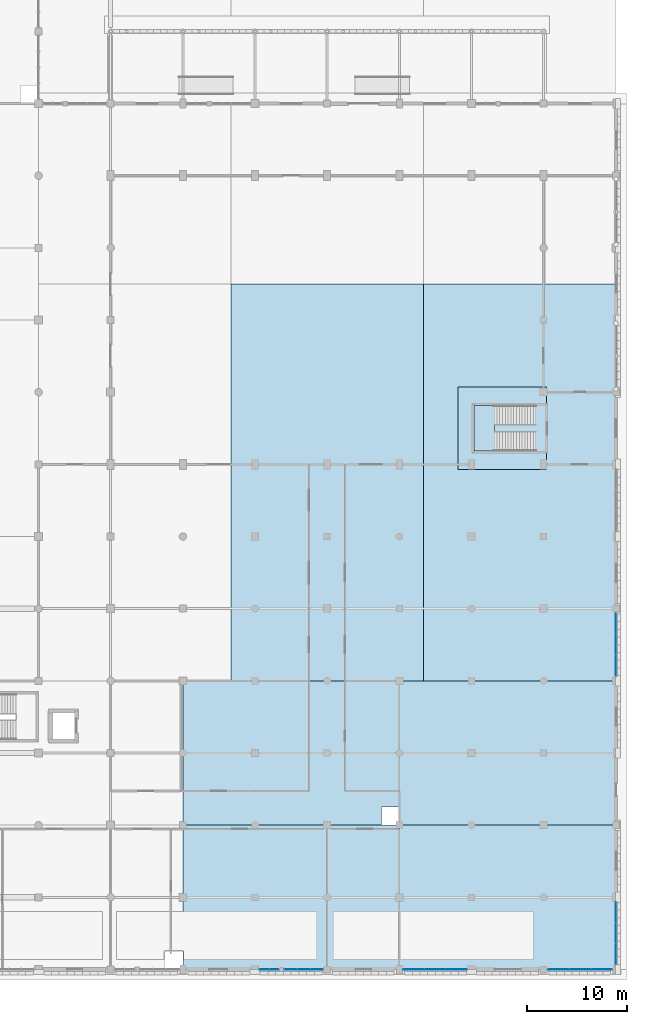
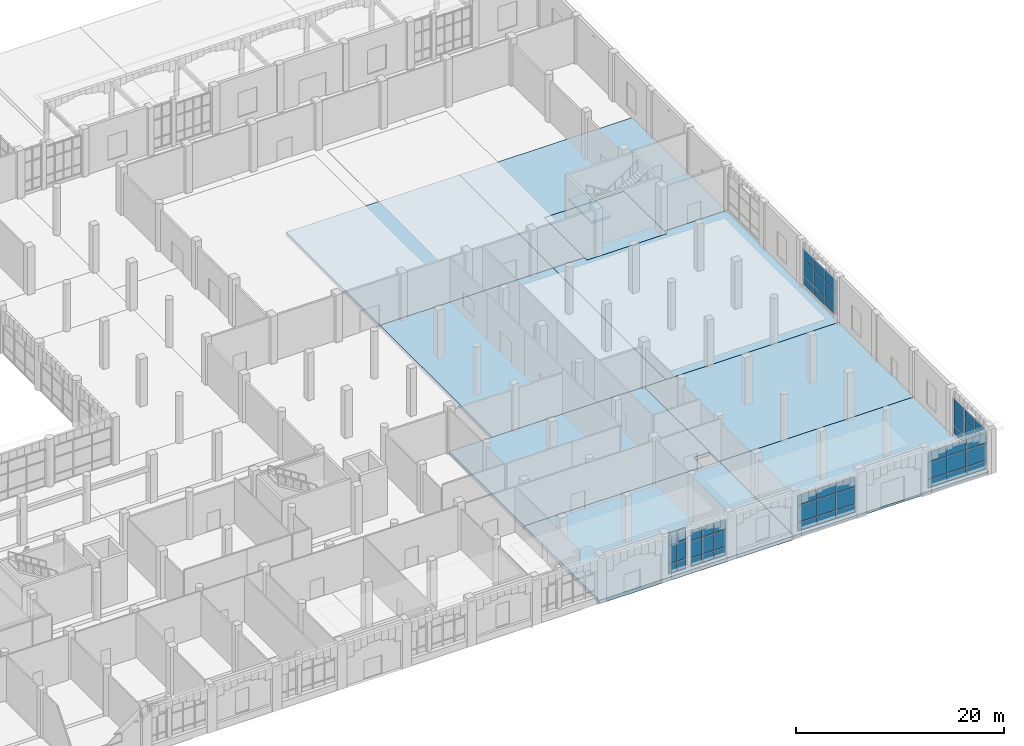
# One storey, part 45 of 85: 51 plates, 10 slabs, 7 elements without a shape of their own.
"""IFC4 building model written with IfcOpenShell, lengths in metres."""

import ifcopenshell
import ifcopenshell.guid

model = None  # the IFC model being written
_history = None  # IfcOwnerHistory: only IFC2X3 demands one
_inside = {}  # id of a spatial element -> (the spatial element, [elements in it])
_under = {}  # id of a project, library or spatial element -> (it, [spatial elements below it])
_declared = {}  # id of a project -> (the project, [libraries it declares])
_typed = {}  # id of a type object -> (the type object, [elements of that type])
_made_of = {}  # id of a material, layer set ... -> (it, [elements and type objects made of it])


def new_model(schema):
    """Start an empty IFC model of exactly this schema.

    Asked for "IFC4X3", IfcOpenShell would pick the latest addendum, in which some entities
    have other attributes; the version numbers below select the first issue.
    IFC2X3 requires an IfcOwnerHistory on every rooted entity: one is made here for all.
    """
    global model, _history
    if schema == "IFC4X3":
        model = ifcopenshell.file(schema_version=(4, 3, 0, 0))
    else:
        model = ifcopenshell.file(schema=schema)
    _inside.clear()
    _under.clear()
    _declared.clear()
    _typed.clear()
    _made_of.clear()
    _history = None
    if model.schema == "IFC2X3":
        org = make("IfcOrganization", Name="unknown")
        user = make(
            "IfcPersonAndOrganization",
            ThePerson=make("IfcPerson", FamilyName="unknown"),
            TheOrganization=org,
        )
        app = make(
            "IfcApplication",
            ApplicationDeveloper=org,
            Version="unknown",
            ApplicationFullName="unknown",
            ApplicationIdentifier="unknown",
        )
        _history = make(
            "IfcOwnerHistory",
            OwningUser=user,
            OwningApplication=app,
            ChangeAction="ADDED",
            CreationDate=0,
        )
    return model


def make(cls, **values):
    """One entity of the class cls with the attributes given. An attribute that is None is left unset."""
    return model.create_entity(
        cls, **{name: value for name, value in values.items() if value is not None}
    )


def rooted(cls, **values):
    """An entity with a GlobalId (a new one), such as an element, a storey or a relation."""
    return make(cls, GlobalId=ifcopenshell.guid.new(), OwnerHistory=_history, **values)


def si_unit(unit_type, name, prefix=None):
    """IfcSIUnit, for example si_unit("LENGTHUNIT", "METRE", prefix="MILLI")."""
    return make("IfcSIUnit", UnitType=unit_type, Prefix=prefix, Name=name)


def assignment(units):
    """IfcUnitAssignment: the units of a project."""
    return None if units is None else make("IfcUnitAssignment", Units=units)


def point(xyz):
    """IfcCartesianPoint."""
    return None if xyz is None else make("IfcCartesianPoint", Coordinates=xyz)


def direction(xyz):
    """IfcDirection."""
    return None if xyz is None else make("IfcDirection", DirectionRatios=xyz)


def frame(location, z_axis=None, x_axis=None):
    """IfcAxis2Placement3D, a coordinate frame: its origin and axes. An axis left out is left unset."""
    return make(
        "IfcAxis2Placement3D",
        Location=point(location),
        Axis=direction(z_axis),
        RefDirection=direction(x_axis),
    )


def frame_2d(location, x_axis=None):
    """IfcAxis2Placement2D, a coordinate frame in the plane: its origin and x axis."""
    return make(
        "IfcAxis2Placement2D", Location=point(location), RefDirection=direction(x_axis)
    )


def origin():
    """The frame at (0, 0, 0) with its axes left unset."""
    return frame((0.0, 0.0, 0.0))


def origin_2d():
    """The frame at (0, 0) in the plane with its x axis left unset."""
    return frame_2d((0.0, 0.0))


def place(relative_to, where):
    """IfcLocalPlacement: puts the frame where relative to a parent placement (None: the world)."""
    return make(
        "IfcLocalPlacement", PlacementRelTo=relative_to, RelativePlacement=where
    )


def context(
    kind, dimensions, precision=None, world=None, true_north=None, identifier=None
):
    """IfcGeometricRepresentationContext, for example the 3D "Model" context."""
    return make(
        "IfcGeometricRepresentationContext",
        ContextIdentifier=identifier,
        ContextType=kind,
        CoordinateSpaceDimension=dimensions,
        Precision=precision,
        WorldCoordinateSystem=world,
        TrueNorth=true_north,
    )


def subcontext(parent, identifier, kind, view, scale=None):
    """IfcGeometricRepresentationSubContext, for example "Body" below "Model"."""
    return make(
        "IfcGeometricRepresentationSubContext",
        ContextIdentifier=identifier,
        ContextType=kind,
        ParentContext=parent,
        TargetScale=scale,
        TargetView=view,
    )


def project(units=None, contexts=None):
    """IfcProject with its units and contexts."""
    return rooted(
        "IfcProject",
        Name="project",
        RepresentationContexts=contexts,
        UnitsInContext=assignment(units),
    )


def spatial(cls, under=None, at=None, **own):
    """A site, building, storey or space (cls), placed at a placement, below another one or the project."""
    s = rooted(cls, ObjectPlacement=at, **own)
    if under is not None:
        _under.setdefault(under.id(), (under, []))[1].append(s)
    return s


def polyline(points):
    """IfcPolyline through the points."""
    return make("IfcPolyline", Points=[point(p) for p in points])


def profile(cls, at=None, kind="AREA", **sizes):
    """A parametric profile (cls). Its sizes go by their IFC names, for example OverallWidth=200.0."""
    return make(cls, ProfileType=kind, Position=at, **sizes)


def rectangle(**sizes):
    """IfcRectangleProfileDef."""
    return profile("IfcRectangleProfileDef", **sizes)


def outline(outer, holes=None, kind="AREA"):
    """IfcArbitraryClosedProfileDef: a profile drawn as a closed curve; with holes, ...WithVoids."""
    if holes is None:
        return make("IfcArbitraryClosedProfileDef", ProfileType=kind, OuterCurve=outer)
    return make(
        "IfcArbitraryProfileDefWithVoids",
        ProfileType=kind,
        OuterCurve=outer,
        InnerCurves=holes,
    )


def extrude(swept, where, along, depth):
    """IfcExtrudedAreaSolid: the profile swept, set in the frame where, extruded along a direction by depth."""
    return make(
        "IfcExtrudedAreaSolid",
        SweptArea=swept,
        Position=where,
        ExtrudedDirection=direction(along),
        Depth=depth,
    )


def shape(context_of_items, identifier, shape_type, items):
    """IfcShapeRepresentation: the items that make up one representation, for example the "Body"."""
    return make(
        "IfcShapeRepresentation",
        ContextOfItems=context_of_items,
        RepresentationIdentifier=identifier,
        RepresentationType=shape_type,
        Items=items,
    )


def material(Name=None, Category=None):
    """IfcMaterial."""
    return make("IfcMaterial", Name=Name, Category=Category)


def layer(
    of_material, thickness, ventilated=None, Name=None, Category=None, Priority=None
):
    """IfcMaterialLayer: one layer of a wall or slab, of a material (None: an air gap)."""
    return make(
        "IfcMaterialLayer",
        Material=of_material,
        LayerThickness=thickness,
        IsVentilated=ventilated,
        Name=Name,
        Category=Category,
        Priority=Priority,
    )


def layer_set(layers, Name=None):
    """IfcMaterialLayerSet."""
    return make("IfcMaterialLayerSet", MaterialLayers=layers, LayerSetName=Name)


def made_of(thing, what):
    """Note that an element or type object is made of a material, layer set ...; save() writes the relation."""
    if what is not None:
        _made_of.setdefault(what.id(), (what, []))[1].append(thing)
    return thing


def type_object(cls, material=None, **own):
    """A type object (cls), such as IfcWallType, which elements share."""
    return made_of(rooted(cls, **own), material)


def element(
    cls,
    number,
    at=None,
    inside=None,
    cuts=None,
    type_object=None,
    material=None,
    context=None,
    identifier="Body",
    shape_type=None,
    held_by="IfcProductDefinitionShape",
    body=None,
    shapes=None,
    **own,
):
    """One element of the class cls, such as IfcWall. Its Tag is "e" and its number.

    at: its placement. inside: the storey or other place that contains it. cuts: it is an
    opening in that element (IfcRelVoidsElement). A single representation is given by context,
    identifier, shape_type and body (its items); several are given by shapes. held_by: the class
    of the entity that holds the representations. save() writes the other relations.
    """
    e = rooted(cls, Tag="e%d" % number, ObjectPlacement=at, **own)
    if body is not None:
        shapes = [shape(context, identifier, shape_type, body)]
    if shapes is not None:
        e.Representation = make(held_by, Representations=shapes)
    if inside is not None:
        _inside.setdefault(inside.id(), (inside, []))[1].append(e)
    if cuts is not None:
        rooted(
            "IfcRelVoidsElement", RelatingBuildingElement=cuts, RelatedOpeningElement=e
        )
    if type_object is not None:
        _typed.setdefault(type_object.id(), (type_object, []))[1].append(e)
    return made_of(e, material)


def aggregate(whole, parts):
    """IfcRelAggregates: a whole, such as a stair, and the parts it consists of."""
    return rooted("IfcRelAggregates", RelatingObject=whole, RelatedObjects=parts)


def save(model, path):
    """Write the relations noted so far, then the file.

    IfcRelAggregates (storeys below a building ...), IfcRelContainedInSpatialStructure (elements
    in a storey), IfcRelDefinesByType, IfcRelAssociatesMaterial and IfcRelDeclares: one each for
    every whole, place, type object, material and project.
    """
    for whole, parts in _under.values():
        aggregate(whole, parts)
    for where, things in _inside.values():
        rooted(
            "IfcRelContainedInSpatialStructure",
            RelatedElements=things,
            RelatingStructure=where,
        )
    for kind, things in _typed.values():
        rooted("IfcRelDefinesByType", RelatedObjects=things, RelatingType=kind)
    for what, things in _made_of.values():
        rooted("IfcRelAssociatesMaterial", RelatedObjects=things, RelatingMaterial=what)
    for by, libraries in _declared.values():
        rooted("IfcRelDeclares", RelatingContext=by, RelatedDefinitions=libraries)
    model.write(path)


model = new_model("IFC4")

# Units and contexts
model_context = context("Model", 3, precision=1e-05, world=origin(), true_north=direction((0.0, 1.0)))
body_context = subcontext(model_context, "Body", "Model", "MODEL_VIEW")
ifc_project = project(units=[si_unit("LENGTHUNIT", "METRE"), si_unit("AREAUNIT", "SQUARE_METRE"), si_unit("VOLUMEUNIT", "CUBIC_METRE"), si_unit("PLANEANGLEUNIT", "RADIAN"), si_unit("MASSUNIT", "GRAM", prefix="KILO")], contexts=[model_context])

# Site, building, storey
site_placement = place(None, origin())
site = spatial("IfcSite", under=ifc_project, at=site_placement, CompositionType="ELEMENT")
building_placement = place(site_placement, origin())
building = spatial("IfcBuilding", under=site, at=building_placement, Name="Sardonyx Promenade Sports Hall", CompositionType="ELEMENT")
storey_placement = place(building_placement, origin())
storey = spatial("IfcBuildingStorey", under=building, at=storey_placement, Name="L00", CompositionType="ELEMENT", Elevation=0.0)

# Curtain wall, plates
ifc_material_1 = material(Name="Aluminium 6063-T6", Category="aluminium")
curtain_wall_type_1 = type_object("IfcCurtainWallType", Name="CW_EastWing_L00", PredefinedType="USERDEFINED", material=ifc_material_1)
curtain_wall_1_placement = place(storey_placement, origin())
curtain_wall_1 = element("IfcCurtainWall", 1, at=curtain_wall_1_placement, inside=storey, type_object=curtain_wall_type_1, Name="Curtain wall CW07 cw:L00:050", ObjectType="CURTAIN WALL", PredefinedType="USERDEFINED")
ifc_material_2 = material(Name="Double-glazed solar low-E IGU 28 mm", Category="glass")
ifc_layer_1 = layer(ifc_material_2, 0.028076171875)
ifc_layer_set_1 = layer_set([ifc_layer_1], Name="CW_Pan_Glz_28")
plate_type_1 = type_object("IfcPlateType", Name="CW_Pan_Glz_28", PredefinedType="CURTAIN_PANEL", material=ifc_layer_set_1)
plate_1_placement = place(storey_placement, frame((165.60009765625, 34.5400390625, 0.4150390625), z_axis=(0.0, 0.0, 1.0), x_axis=(0.0, -1.0, 0.0)))
plate_1 = element("IfcPlate", 2, at=plate_1_placement, type_object=plate_type_1, Name="Curtain panel CP01 cw:L00:050 #1", PredefinedType="CURTAIN_PANEL", context=body_context, shape_type="SweptSolid", body=[
    extrude(rectangle(XDim=2.050048828125, YDim=0.028076171875, at=origin_2d()), origin(), (0.0, 0.0, 1.0), 0.902587890625),
])
plate_2_placement = place(storey_placement, frame((165.60009765625, 34.5400390625, 1.38232421875), z_axis=(0.0, 0.0, 1.0), x_axis=(0.0, -1.0, 0.0)))
plate_2 = element("IfcPlate", 3, at=plate_2_placement, type_object=plate_type_1, Name="Curtain panel CP01 cw:L00:050 #2", PredefinedType="CURTAIN_PANEL", context=body_context, shape_type="SweptSolid", body=[
    extrude(rectangle(XDim=2.050048828125, YDim=0.028076171875, at=origin_2d()), origin(), (0.0, 0.0, 1.0), 1.885009765625),
])
plate_3_placement = place(storey_placement, frame((165.60009765625, 34.5400390625, 3.33251953125), z_axis=(0.0, 0.0, 1.0), x_axis=(0.0, -1.0, 0.0)))
plate_3 = element("IfcPlate", 4, at=plate_3_placement, type_object=plate_type_1, Name="Curtain panel CP01 cw:L00:050 #3", PredefinedType="CURTAIN_PANEL", context=body_context, shape_type="SweptSolid", body=[
    extrude(rectangle(XDim=2.050048828125, YDim=0.028076171875, at=origin_2d()), origin(), (0.0, 0.0, 1.0), 1.202392578125),
])
plate_4_placement = place(storey_placement, frame((165.60009765625, 32.425048828125, 0.4150390625), z_axis=(0.0, 0.0, 1.0), x_axis=(0.0, -1.0, 0.0)))
plate_4 = element("IfcPlate", 5, at=plate_4_placement, type_object=plate_type_1, Name="Curtain panel CP01 cw:L00:050 #4", PredefinedType="CURTAIN_PANEL", context=body_context, shape_type="SweptSolid", body=[
    extrude(rectangle(XDim=2.050048828125, YDim=0.028076171875, at=origin_2d()), origin(), (0.0, 0.0, 1.0), 0.902587890625),
])
plate_5_placement = place(storey_placement, frame((165.60009765625, 32.425048828125, 1.38232421875), z_axis=(0.0, 0.0, 1.0), x_axis=(0.0, -1.0, 0.0)))
plate_5 = element("IfcPlate", 6, at=plate_5_placement, type_object=plate_type_1, Name="Curtain panel CP01 cw:L00:050 #5", PredefinedType="CURTAIN_PANEL", context=body_context, shape_type="SweptSolid", body=[
    extrude(rectangle(XDim=2.050048828125, YDim=0.028076171875, at=origin_2d()), origin(), (0.0, 0.0, 1.0), 1.885009765625),
])
plate_6_placement = place(storey_placement, frame((165.60009765625, 32.425048828125, 3.33251953125), z_axis=(0.0, 0.0, 1.0), x_axis=(0.0, -1.0, 0.0)))
plate_6 = element("IfcPlate", 7, at=plate_6_placement, type_object=plate_type_1, Name="Curtain panel CP01 cw:L00:050 #6", PredefinedType="CURTAIN_PANEL", context=body_context, shape_type="SweptSolid", body=[
    extrude(rectangle(XDim=2.050048828125, YDim=0.028076171875, at=origin_2d()), origin(), (0.0, 0.0, 1.0), 1.202392578125),
])
plate_7_placement = place(storey_placement, frame((165.60009765625, 30.31005859375, 0.4150390625), z_axis=(0.0, 0.0, 1.0), x_axis=(0.0, -1.0, 0.0)))
plate_7 = element("IfcPlate", 8, at=plate_7_placement, type_object=plate_type_1, Name="Curtain panel CP01 cw:L00:050 #7", PredefinedType="CURTAIN_PANEL", context=body_context, shape_type="SweptSolid", body=[
    extrude(rectangle(XDim=2.050048828125, YDim=0.028076171875, at=origin_2d()), origin(), (0.0, 0.0, 1.0), 0.902587890625),
])
plate_8_placement = place(storey_placement, frame((165.60009765625, 30.31005859375, 1.38232421875), z_axis=(0.0, 0.0, 1.0), x_axis=(0.0, -1.0, 0.0)))
plate_8 = element("IfcPlate", 9, at=plate_8_placement, type_object=plate_type_1, Name="Curtain panel CP01 cw:L00:050 #8", PredefinedType="CURTAIN_PANEL", context=body_context, shape_type="SweptSolid", body=[
    extrude(rectangle(XDim=2.050048828125, YDim=0.028076171875, at=origin_2d()), origin(), (0.0, 0.0, 1.0), 1.885009765625),
])
plate_9_placement = place(storey_placement, frame((165.60009765625, 30.31005859375, 3.33251953125), z_axis=(0.0, 0.0, 1.0), x_axis=(0.0, -1.0, 0.0)))
plate_9 = element("IfcPlate", 10, at=plate_9_placement, type_object=plate_type_1, Name="Curtain panel CP01 cw:L00:050 #9", PredefinedType="CURTAIN_PANEL", context=body_context, shape_type="SweptSolid", body=[
    extrude(rectangle(XDim=2.050048828125, YDim=0.028076171875, at=origin_2d()), origin(), (0.0, 0.0, 1.0), 1.202392578125),
])
aggregate(curtain_wall_1, [plate_1, plate_2, plate_3, plate_4, plate_5, plate_6, plate_7, plate_8, plate_9])

curtain_wall_2_placement = place(storey_placement, origin())
curtain_wall_2 = element("IfcCurtainWall", 11, at=curtain_wall_2_placement, inside=storey, type_object=curtain_wall_type_1, Name="Curtain wall CW07 cw:L00:051", ObjectType="CURTAIN WALL", PredefinedType="USERDEFINED")
plate_10_placement = place(storey_placement, frame((165.60009765625, 5.706787109375, 0.4150390625), z_axis=(0.0, 0.0, 1.0), x_axis=(0.0, -1.0, 0.0)))
plate_10 = element("IfcPlate", 12, at=plate_10_placement, type_object=plate_type_1, Name="Curtain panel CP01 cw:L00:051 #1", PredefinedType="CURTAIN_PANEL", context=body_context, shape_type="SweptSolid", body=[
    extrude(rectangle(XDim=2.0166015625, YDim=0.028076171875, at=origin_2d()), origin(), (0.0, 0.0, 1.0), 0.902587890625),
])
plate_11_placement = place(storey_placement, frame((165.60009765625, 5.706787109375, 1.38232421875), z_axis=(0.0, 0.0, 1.0), x_axis=(0.0, -1.0, 0.0)))
plate_11 = element("IfcPlate", 13, at=plate_11_placement, type_object=plate_type_1, Name="Curtain panel CP01 cw:L00:051 #2", PredefinedType="CURTAIN_PANEL", context=body_context, shape_type="SweptSolid", body=[
    extrude(rectangle(XDim=2.0166015625, YDim=0.028076171875, at=origin_2d()), origin(), (0.0, 0.0, 1.0), 1.885009765625),
])
plate_12_placement = place(storey_placement, frame((165.60009765625, 5.706787109375, 3.33251953125), z_axis=(0.0, 0.0, 1.0), x_axis=(0.0, -1.0, 0.0)))
plate_12 = element("IfcPlate", 14, at=plate_12_placement, type_object=plate_type_1, Name="Curtain panel CP01 cw:L00:051 #3", PredefinedType="CURTAIN_PANEL", context=body_context, shape_type="SweptSolid", body=[
    extrude(rectangle(XDim=2.0166015625, YDim=0.028076171875, at=origin_2d()), origin(), (0.0, 0.0, 1.0), 1.202392578125),
])
plate_13_placement = place(storey_placement, frame((165.60009765625, 3.625, 0.4150390625), z_axis=(0.0, 0.0, 1.0), x_axis=(0.0, -1.0, 0.0)))
plate_13 = element("IfcPlate", 15, at=plate_13_placement, type_object=plate_type_1, Name="Curtain panel CP01 cw:L00:051 #4", PredefinedType="CURTAIN_PANEL", context=body_context, shape_type="SweptSolid", body=[
    extrude(rectangle(XDim=2.0166015625, YDim=0.028076171875, at=origin_2d()), origin(), (0.0, 0.0, 1.0), 0.902587890625),
])
plate_14_placement = place(storey_placement, frame((165.60009765625, 3.625, 1.38232421875), z_axis=(0.0, 0.0, 1.0), x_axis=(0.0, -1.0, 0.0)))
plate_14 = element("IfcPlate", 16, at=plate_14_placement, type_object=plate_type_1, Name="Curtain panel CP01 cw:L00:051 #5", PredefinedType="CURTAIN_PANEL", context=body_context, shape_type="SweptSolid", body=[
    extrude(rectangle(XDim=2.0166015625, YDim=0.028076171875, at=origin_2d()), origin(), (0.0, 0.0, 1.0), 1.885009765625),
])
plate_15_placement = place(storey_placement, frame((165.60009765625, 3.625, 3.33251953125), z_axis=(0.0, 0.0, 1.0), x_axis=(0.0, -1.0, 0.0)))
plate_15 = element("IfcPlate", 17, at=plate_15_placement, type_object=plate_type_1, Name="Curtain panel CP01 cw:L00:051 #6", PredefinedType="CURTAIN_PANEL", context=body_context, shape_type="SweptSolid", body=[
    extrude(rectangle(XDim=2.0166015625, YDim=0.028076171875, at=origin_2d()), origin(), (0.0, 0.0, 1.0), 1.202392578125),
])
plate_16_placement = place(storey_placement, frame((165.60009765625, 1.543212890625, 0.4150390625), z_axis=(0.0, 0.0, 1.0), x_axis=(0.0, -1.0, 0.0)))
plate_16 = element("IfcPlate", 18, at=plate_16_placement, type_object=plate_type_1, Name="Curtain panel CP01 cw:L00:051 #7", PredefinedType="CURTAIN_PANEL", context=body_context, shape_type="SweptSolid", body=[
    extrude(rectangle(XDim=2.0166015625, YDim=0.028076171875, at=origin_2d()), origin(), (0.0, 0.0, 1.0), 0.902587890625),
])
plate_17_placement = place(storey_placement, frame((165.60009765625, 1.543212890625, 1.38232421875), z_axis=(0.0, 0.0, 1.0), x_axis=(0.0, -1.0, 0.0)))
plate_17 = element("IfcPlate", 19, at=plate_17_placement, type_object=plate_type_1, Name="Curtain panel CP01 cw:L00:051 #8", PredefinedType="CURTAIN_PANEL", context=body_context, shape_type="SweptSolid", body=[
    extrude(rectangle(XDim=2.0166015625, YDim=0.028076171875, at=origin_2d()), origin(), (0.0, 0.0, 1.0), 1.885009765625),
])
plate_18_placement = place(storey_placement, frame((165.60009765625, 1.543212890625, 3.33251953125), z_axis=(0.0, 0.0, 1.0), x_axis=(0.0, -1.0, 0.0)))
plate_18 = element("IfcPlate", 20, at=plate_18_placement, type_object=plate_type_1, Name="Curtain panel CP01 cw:L00:051 #9", PredefinedType="CURTAIN_PANEL", context=body_context, shape_type="SweptSolid", body=[
    extrude(rectangle(XDim=2.0166015625, YDim=0.028076171875, at=origin_2d()), origin(), (0.0, 0.0, 1.0), 1.202392578125),
])
aggregate(curtain_wall_2, [plate_10, plate_11, plate_12, plate_13, plate_14, plate_15, plate_16, plate_17, plate_18])

ifc_material_3 = material(Name="Aluminium 6063-T6", Category="aluminium")
curtain_wall_type_2 = type_object("IfcCurtainWallType", Name="CW_South_L00_640", PredefinedType="USERDEFINED", material=ifc_material_3)
curtain_wall_3_placement = place(storey_placement, origin())
curtain_wall_3 = element("IfcCurtainWall", 21, at=curtain_wall_3_placement, inside=storey, type_object=curtain_wall_type_2, Name="Curtain wall CW11 cw:L00:001", ObjectType="CURTAIN WALL", PredefinedType="USERDEFINED")
ifc_material_4 = material(Name="Double-glazed acoustic IGU 32 mm", Category="glass")
ifc_layer_2 = layer(ifc_material_4, 0.031982421875)
ifc_layer_set_2 = layer_set([ifc_layer_2], Name="CW_Pan_Glz_32")
plate_type_2 = type_object("IfcPlateType", Name="CW_Pan_Glz_32", PredefinedType="CURTAIN_PANEL", material=ifc_layer_set_2)
plate_19_placement = place(storey_placement, frame((164.171630859375, 0.0, 0.419921875), z_axis=(0.0, 0.0, 1.0), x_axis=(-1.0, 0.0, 0.0)))
plate_19 = element("IfcPlate", 22, at=plate_19_placement, type_object=plate_type_2, Name="Curtain panel CP02 cw:L00:001 #1", PredefinedType="CURTAIN_PANEL", context=body_context, shape_type="SweptSolid", body=[
    extrude(rectangle(XDim=2.07666015625, YDim=0.031982421875, at=origin_2d()), origin(), (0.0, 0.0, 1.0), 0.945068359375),
])
plate_20_placement = place(storey_placement, frame((164.171630859375, 0.0, 1.43505859375), z_axis=(0.0, 0.0, 1.0), x_axis=(-1.0, 0.0, 0.0)))
plate_20 = element("IfcPlate", 23, at=plate_20_placement, type_object=plate_type_2, Name="Curtain panel CP02 cw:L00:001 #2", PredefinedType="CURTAIN_PANEL", context=body_context, shape_type="SweptSolid", body=[
    extrude(rectangle(XDim=2.07666015625, YDim=0.031982421875, at=origin_2d()), origin(), (0.0, 0.0, 1.0), 1.929931640625),
])
plate_21_placement = place(storey_placement, frame((164.171630859375, 0.0, 3.43505859375), z_axis=(0.0, 0.0, 1.0), x_axis=(-1.0, 0.0, 0.0)))
plate_21 = element("IfcPlate", 24, at=plate_21_placement, type_object=plate_type_2, Name="Curtain panel CP02 cw:L00:001 #3", PredefinedType="CURTAIN_PANEL", context=body_context, shape_type="SweptSolid", body=[
    extrude(rectangle(XDim=2.07666015625, YDim=0.031982421875, at=origin_2d()), origin(), (0.0, 0.0, 1.0), 1.14501953125),
])
plate_22_placement = place(storey_placement, frame((162.02490234375, 0.0, 0.419921875), z_axis=(0.0, 0.0, 1.0), x_axis=(-1.0, 0.0, 0.0)))
plate_22 = element("IfcPlate", 25, at=plate_22_placement, type_object=plate_type_2, Name="Curtain panel CP02 cw:L00:001 #4", PredefinedType="CURTAIN_PANEL", context=body_context, shape_type="SweptSolid", body=[
    extrude(rectangle(XDim=2.07666015625, YDim=0.031982421875, at=origin_2d()), origin(), (0.0, 0.0, 1.0), 0.945068359375),
])
plate_23_placement = place(storey_placement, frame((162.02490234375, 0.0, 1.43505859375), z_axis=(0.0, 0.0, 1.0), x_axis=(-1.0, 0.0, 0.0)))
plate_23 = element("IfcPlate", 26, at=plate_23_placement, type_object=plate_type_2, Name="Curtain panel CP02 cw:L00:001 #5", PredefinedType="CURTAIN_PANEL", context=body_context, shape_type="SweptSolid", body=[
    extrude(rectangle(XDim=2.07666015625, YDim=0.031982421875, at=origin_2d()), origin(), (0.0, 0.0, 1.0), 1.929931640625),
])
plate_24_placement = place(storey_placement, frame((162.02490234375, 0.0, 3.43505859375), z_axis=(0.0, 0.0, 1.0), x_axis=(-1.0, 0.0, 0.0)))
plate_24 = element("IfcPlate", 27, at=plate_24_placement, type_object=plate_type_2, Name="Curtain panel CP02 cw:L00:001 #6", PredefinedType="CURTAIN_PANEL", context=body_context, shape_type="SweptSolid", body=[
    extrude(rectangle(XDim=2.07666015625, YDim=0.031982421875, at=origin_2d()), origin(), (0.0, 0.0, 1.0), 1.14501953125),
])
plate_25_placement = place(storey_placement, frame((159.87841796875, 0.0, 0.419921875), z_axis=(0.0, 0.0, 1.0), x_axis=(-1.0, 0.0, 0.0)))
plate_25 = element("IfcPlate", 28, at=plate_25_placement, type_object=plate_type_2, Name="Curtain panel CP02 cw:L00:001 #7", PredefinedType="CURTAIN_PANEL", context=body_context, shape_type="SweptSolid", body=[
    extrude(rectangle(XDim=2.07666015625, YDim=0.031982421875, at=origin_2d()), origin(), (0.0, 0.0, 1.0), 0.945068359375),
])
plate_26_placement = place(storey_placement, frame((159.87841796875, 0.0, 1.43505859375), z_axis=(0.0, 0.0, 1.0), x_axis=(-1.0, 0.0, 0.0)))
plate_26 = element("IfcPlate", 29, at=plate_26_placement, type_object=plate_type_2, Name="Curtain panel CP02 cw:L00:001 #8", PredefinedType="CURTAIN_PANEL", context=body_context, shape_type="SweptSolid", body=[
    extrude(rectangle(XDim=2.07666015625, YDim=0.031982421875, at=origin_2d()), origin(), (0.0, 0.0, 1.0), 1.929931640625),
])
plate_27_placement = place(storey_placement, frame((159.87841796875, 0.0, 3.43505859375), z_axis=(0.0, 0.0, 1.0), x_axis=(-1.0, 0.0, 0.0)))
plate_27 = element("IfcPlate", 30, at=plate_27_placement, type_object=plate_type_2, Name="Curtain panel CP02 cw:L00:001 #9", PredefinedType="CURTAIN_PANEL", context=body_context, shape_type="SweptSolid", body=[
    extrude(rectangle(XDim=2.07666015625, YDim=0.031982421875, at=origin_2d()), origin(), (0.0, 0.0, 1.0), 1.14501953125),
])
aggregate(curtain_wall_3, [plate_19, plate_20, plate_21, plate_22, plate_23, plate_24, plate_25, plate_26, plate_27])

curtain_wall_4_placement = place(storey_placement, origin())
curtain_wall_4 = element("IfcCurtainWall", 31, at=curtain_wall_4_placement, inside=storey, type_object=curtain_wall_type_2, Name="Curtain wall CW11 cw:L00:002", ObjectType="CURTAIN WALL", PredefinedType="USERDEFINED")
plate_28_placement = place(storey_placement, frame((149.679931640625, 0.0, 0.419921875), z_axis=(0.0, 0.0, 1.0), x_axis=(-1.0, 0.0, 0.0)))
plate_28 = element("IfcPlate", 32, at=plate_28_placement, type_object=plate_type_2, Name="Curtain panel CP02 cw:L00:002 #1", PredefinedType="CURTAIN_PANEL", context=body_context, shape_type="SweptSolid", body=[
    extrude(rectangle(XDim=2.06005859375, YDim=0.031982421875, at=origin_2d()), origin(), (0.0, 0.0, 1.0), 0.945068359375),
])
plate_29_placement = place(storey_placement, frame((149.679931640625, 0.0, 1.43505859375), z_axis=(0.0, 0.0, 1.0), x_axis=(-1.0, 0.0, 0.0)))
plate_29 = element("IfcPlate", 33, at=plate_29_placement, type_object=plate_type_2, Name="Curtain panel CP02 cw:L00:002 #2", PredefinedType="CURTAIN_PANEL", context=body_context, shape_type="SweptSolid", body=[
    extrude(rectangle(XDim=2.06005859375, YDim=0.031982421875, at=origin_2d()), origin(), (0.0, 0.0, 1.0), 1.929931640625),
])
plate_30_placement = place(storey_placement, frame((149.679931640625, 0.0, 3.43505859375), z_axis=(0.0, 0.0, 1.0), x_axis=(-1.0, 0.0, 0.0)))
plate_30 = element("IfcPlate", 34, at=plate_30_placement, type_object=plate_type_2, Name="Curtain panel CP02 cw:L00:002 #3", PredefinedType="CURTAIN_PANEL", context=body_context, shape_type="SweptSolid", body=[
    extrude(rectangle(XDim=2.06005859375, YDim=0.031982421875, at=origin_2d()), origin(), (0.0, 0.0, 1.0), 1.14501953125),
])
plate_31_placement = place(storey_placement, frame((147.550048828125, 0.0, 0.419921875), z_axis=(0.0, 0.0, 1.0), x_axis=(-1.0, 0.0, 0.0)))
plate_31 = element("IfcPlate", 35, at=plate_31_placement, type_object=plate_type_2, Name="Curtain panel CP02 cw:L00:002 #4", PredefinedType="CURTAIN_PANEL", context=body_context, shape_type="SweptSolid", body=[
    extrude(rectangle(XDim=2.06005859375, YDim=0.031982421875, at=origin_2d()), origin(), (0.0, 0.0, 1.0), 0.945068359375),
])
plate_32_placement = place(storey_placement, frame((147.550048828125, 0.0, 1.43505859375), z_axis=(0.0, 0.0, 1.0), x_axis=(-1.0, 0.0, 0.0)))
plate_32 = element("IfcPlate", 36, at=plate_32_placement, type_object=plate_type_2, Name="Curtain panel CP02 cw:L00:002 #5", PredefinedType="CURTAIN_PANEL", context=body_context, shape_type="SweptSolid", body=[
    extrude(rectangle(XDim=2.06005859375, YDim=0.031982421875, at=origin_2d()), origin(), (0.0, 0.0, 1.0), 1.929931640625),
])
plate_33_placement = place(storey_placement, frame((147.550048828125, 0.0, 3.43505859375), z_axis=(0.0, 0.0, 1.0), x_axis=(-1.0, 0.0, 0.0)))
plate_33 = element("IfcPlate", 37, at=plate_33_placement, type_object=plate_type_2, Name="Curtain panel CP02 cw:L00:002 #6", PredefinedType="CURTAIN_PANEL", context=body_context, shape_type="SweptSolid", body=[
    extrude(rectangle(XDim=2.06005859375, YDim=0.031982421875, at=origin_2d()), origin(), (0.0, 0.0, 1.0), 1.14501953125),
])
plate_34_placement = place(storey_placement, frame((145.419921875, 0.0, 0.419921875), z_axis=(0.0, 0.0, 1.0), x_axis=(-1.0, 0.0, 0.0)))
plate_34 = element("IfcPlate", 38, at=plate_34_placement, type_object=plate_type_2, Name="Curtain panel CP02 cw:L00:002 #7", PredefinedType="CURTAIN_PANEL", context=body_context, shape_type="SweptSolid", body=[
    extrude(rectangle(XDim=2.06005859375, YDim=0.031982421875, at=origin_2d()), origin(), (0.0, 0.0, 1.0), 0.945068359375),
])
plate_35_placement = place(storey_placement, frame((145.419921875, 0.0, 1.43505859375), z_axis=(0.0, 0.0, 1.0), x_axis=(-1.0, 0.0, 0.0)))
plate_35 = element("IfcPlate", 39, at=plate_35_placement, type_object=plate_type_2, Name="Curtain panel CP02 cw:L00:002 #8", PredefinedType="CURTAIN_PANEL", context=body_context, shape_type="SweptSolid", body=[
    extrude(rectangle(XDim=2.06005859375, YDim=0.031982421875, at=origin_2d()), origin(), (0.0, 0.0, 1.0), 1.929931640625),
])
plate_36_placement = place(storey_placement, frame((145.419921875, 0.0, 3.43505859375), z_axis=(0.0, 0.0, 1.0), x_axis=(-1.0, 0.0, 0.0)))
plate_36 = element("IfcPlate", 40, at=plate_36_placement, type_object=plate_type_2, Name="Curtain panel CP02 cw:L00:002 #9", PredefinedType="CURTAIN_PANEL", context=body_context, shape_type="SweptSolid", body=[
    extrude(rectangle(XDim=2.06005859375, YDim=0.031982421875, at=origin_2d()), origin(), (0.0, 0.0, 1.0), 1.14501953125),
])
aggregate(curtain_wall_4, [plate_28, plate_29, plate_30, plate_31, plate_32, plate_33, plate_34, plate_35, plate_36])

curtain_wall_5_placement = place(storey_placement, origin())
curtain_wall_5 = element("IfcCurtainWall", 41, at=curtain_wall_5_placement, inside=storey, type_object=curtain_wall_type_2, Name="Curtain wall CW11 cw:L00:003", ObjectType="CURTAIN WALL", PredefinedType="USERDEFINED")
plate_37_placement = place(storey_placement, frame((135.750732421875, 0.0, 0.419921875), z_axis=(0.0, 0.0, 1.0), x_axis=(-1.0, 0.0, 0.0)))
plate_37 = element("IfcPlate", 42, at=plate_37_placement, type_object=plate_type_2, Name="Curtain panel CP02 cw:L00:003 #1", PredefinedType="CURTAIN_PANEL", context=body_context, shape_type="SweptSolid", body=[
    extrude(rectangle(XDim=1.21826171875, YDim=0.031982421875, at=origin_2d()), origin(), (0.0, 0.0, 1.0), 0.945068359375),
])
plate_38_placement = place(storey_placement, frame((135.750732421875, 0.0, 1.43505859375), z_axis=(0.0, 0.0, 1.0), x_axis=(-1.0, 0.0, 0.0)))
plate_38 = element("IfcPlate", 43, at=plate_38_placement, type_object=plate_type_2, Name="Curtain panel CP02 cw:L00:003 #2", PredefinedType="CURTAIN_PANEL", context=body_context, shape_type="SweptSolid", body=[
    extrude(rectangle(XDim=1.21826171875, YDim=0.031982421875, at=origin_2d()), origin(), (0.0, 0.0, 1.0), 1.929931640625),
])
plate_39_placement = place(storey_placement, frame((135.750732421875, 0.0, 3.43505859375), z_axis=(0.0, 0.0, 1.0), x_axis=(-1.0, 0.0, 0.0)))
plate_39 = element("IfcPlate", 44, at=plate_39_placement, type_object=plate_type_2, Name="Curtain panel CP02 cw:L00:003 #3", PredefinedType="CURTAIN_PANEL", context=body_context, shape_type="SweptSolid", body=[
    extrude(rectangle(XDim=1.21826171875, YDim=0.031982421875, at=origin_2d()), origin(), (0.0, 0.0, 1.0), 1.14501953125),
])
plate_40_placement = place(storey_placement, frame((134.46240234375, 0.0, 0.419921875), z_axis=(0.0, 0.0, 1.0), x_axis=(-1.0, 0.0, 0.0)))
plate_40 = element("IfcPlate", 45, at=plate_40_placement, type_object=plate_type_2, Name="Curtain panel CP02 cw:L00:003 #4", PredefinedType="CURTAIN_PANEL", context=body_context, shape_type="SweptSolid", body=[
    extrude(rectangle(XDim=1.21826171875, YDim=0.031982421875, at=origin_2d()), origin(), (0.0, 0.0, 1.0), 0.945068359375),
])
plate_41_placement = place(storey_placement, frame((134.46240234375, 0.0, 1.43505859375), z_axis=(0.0, 0.0, 1.0), x_axis=(-1.0, 0.0, 0.0)))
plate_41 = element("IfcPlate", 46, at=plate_41_placement, type_object=plate_type_2, Name="Curtain panel CP02 cw:L00:003 #5", PredefinedType="CURTAIN_PANEL", context=body_context, shape_type="SweptSolid", body=[
    extrude(rectangle(XDim=1.21826171875, YDim=0.031982421875, at=origin_2d()), origin(), (0.0, 0.0, 1.0), 1.929931640625),
])
plate_42_placement = place(storey_placement, frame((134.46240234375, 0.0, 3.43505859375), z_axis=(0.0, 0.0, 1.0), x_axis=(-1.0, 0.0, 0.0)))
plate_42 = element("IfcPlate", 47, at=plate_42_placement, type_object=plate_type_2, Name="Curtain panel CP02 cw:L00:003 #6", PredefinedType="CURTAIN_PANEL", context=body_context, shape_type="SweptSolid", body=[
    extrude(rectangle(XDim=1.21826171875, YDim=0.031982421875, at=origin_2d()), origin(), (0.0, 0.0, 1.0), 1.14501953125),
])
plate_43_placement = place(storey_placement, frame((133.174072265625, 0.0, 0.419921875), z_axis=(0.0, 0.0, 1.0), x_axis=(-1.0, 0.0, 0.0)))
plate_43 = element("IfcPlate", 48, at=plate_43_placement, type_object=plate_type_2, Name="Curtain panel CP02 cw:L00:003 #7", PredefinedType="CURTAIN_PANEL", context=body_context, shape_type="SweptSolid", body=[
    extrude(rectangle(XDim=1.21826171875, YDim=0.031982421875, at=origin_2d()), origin(), (0.0, 0.0, 1.0), 0.945068359375),
])
plate_44_placement = place(storey_placement, frame((133.174072265625, 0.0, 1.43505859375), z_axis=(0.0, 0.0, 1.0), x_axis=(-1.0, 0.0, 0.0)))
plate_44 = element("IfcPlate", 49, at=plate_44_placement, type_object=plate_type_2, Name="Curtain panel CP02 cw:L00:003 #8", PredefinedType="CURTAIN_PANEL", context=body_context, shape_type="SweptSolid", body=[
    extrude(rectangle(XDim=1.21826171875, YDim=0.031982421875, at=origin_2d()), origin(), (0.0, 0.0, 1.0), 1.929931640625),
])
plate_45_placement = place(storey_placement, frame((133.174072265625, 0.0, 3.43505859375), z_axis=(0.0, 0.0, 1.0), x_axis=(-1.0, 0.0, 0.0)))
plate_45 = element("IfcPlate", 50, at=plate_45_placement, type_object=plate_type_2, Name="Curtain panel CP02 cw:L00:003 #9", PredefinedType="CURTAIN_PANEL", context=body_context, shape_type="SweptSolid", body=[
    extrude(rectangle(XDim=1.21826171875, YDim=0.031982421875, at=origin_2d()), origin(), (0.0, 0.0, 1.0), 1.14501953125),
])
aggregate(curtain_wall_5, [plate_37, plate_38, plate_39, plate_40, plate_41, plate_42, plate_43, plate_44, plate_45])

ifc_material_5 = material(Name="Aluminium 6063-T6", Category="aluminium")
curtain_wall_type_3 = type_object("IfcCurtainWallType", Name="CW_Foyer_Pilaster_L00", PredefinedType="USERDEFINED", material=ifc_material_5)
curtain_wall_6_placement = place(storey_placement, origin())
curtain_wall_6 = element("IfcCurtainWall", 51, at=curtain_wall_6_placement, inside=storey, type_object=curtain_wall_type_3, Name="Curtain wall CW20 cw:L00:004", ObjectType="CURTAIN WALL", PredefinedType="USERDEFINED")
ifc_material_6 = material(Name="Triple-glazed harbour solar IGU 40 mm", Category="glass")
ifc_layer_3 = layer(ifc_material_6, 0.0400390625)
ifc_layer_set_3 = layer_set([ifc_layer_3], Name="CW_Pan_Glz_40")
plate_type_3 = type_object("IfcPlateType", Name="CW_Pan_Glz_40", PredefinedType="CURTAIN_PANEL", material=ifc_layer_set_3)
plate_46_placement = place(storey_placement, frame((131.489990234375, 0.0, 0.425048828125), z_axis=(0.0, 0.0, 1.0), x_axis=(-1.0, 0.0, 0.0)))
plate_46 = element("IfcPlate", 52, at=plate_46_placement, type_object=plate_type_3, Name="Curtain panel CP04 cw:L00:004 #1", PredefinedType="CURTAIN_PANEL", context=body_context, shape_type="SweptSolid", body=[
    extrude(rectangle(XDim=0.8798828125, YDim=0.0400390625, at=origin_2d()), origin(), (0.0, 0.0, 1.0), 1.08740234375),
])
plate_47_placement = place(storey_placement, frame((131.489990234375, 0.0, 1.58740234375), z_axis=(0.0, 0.0, 1.0), x_axis=(-1.0, 0.0, 0.0)))
plate_47 = element("IfcPlate", 53, at=plate_47_placement, type_object=plate_type_3, Name="Curtain panel CP04 cw:L00:004 #2", PredefinedType="CURTAIN_PANEL", context=body_context, shape_type="SweptSolid", body=[
    extrude(rectangle(XDim=0.8798828125, YDim=0.0400390625, at=origin_2d()), origin(), (0.0, 0.0, 1.0), 2.125),
])
plate_48_placement = place(storey_placement, frame((131.489990234375, 0.0, 3.78759765625), z_axis=(0.0, 0.0, 1.0), x_axis=(-1.0, 0.0, 0.0)))
plate_48 = element("IfcPlate", 54, at=plate_48_placement, type_object=plate_type_3, Name="Curtain panel CP04 cw:L00:004 #3", PredefinedType="CURTAIN_PANEL", context=body_context, shape_type="SweptSolid", body=[
    extrude(rectangle(XDim=0.8798828125, YDim=0.0400390625, at=origin_2d()), origin(), (0.0, 0.0, 1.0), 1.4375),
])
plate_49_placement = place(storey_placement, frame((130.534912109375, 0.0, 0.425048828125), z_axis=(0.0, 0.0, 1.0), x_axis=(-1.0, 0.0, 0.0)))
plate_49 = element("IfcPlate", 55, at=plate_49_placement, type_object=plate_type_3, Name="Curtain panel CP04 cw:L00:004 #4", PredefinedType="CURTAIN_PANEL", context=body_context, shape_type="SweptSolid", body=[
    extrude(rectangle(XDim=0.8798828125, YDim=0.0400390625, at=origin_2d()), origin(), (0.0, 0.0, 1.0), 1.08740234375),
])
plate_50_placement = place(storey_placement, frame((130.534912109375, 0.0, 1.58740234375), z_axis=(0.0, 0.0, 1.0), x_axis=(-1.0, 0.0, 0.0)))
plate_50 = element("IfcPlate", 56, at=plate_50_placement, type_object=plate_type_3, Name="Curtain panel CP04 cw:L00:004 #5", PredefinedType="CURTAIN_PANEL", context=body_context, shape_type="SweptSolid", body=[
    extrude(rectangle(XDim=0.8798828125, YDim=0.0400390625, at=origin_2d()), origin(), (0.0, 0.0, 1.0), 2.125),
])
plate_51_placement = place(storey_placement, frame((130.534912109375, 0.0, 3.78759765625), z_axis=(0.0, 0.0, 1.0), x_axis=(-1.0, 0.0, 0.0)))
plate_51 = element("IfcPlate", 57, at=plate_51_placement, type_object=plate_type_3, Name="Curtain panel CP04 cw:L00:004 #6", PredefinedType="CURTAIN_PANEL", context=body_context, shape_type="SweptSolid", body=[
    extrude(rectangle(XDim=0.8798828125, YDim=0.0400390625, at=origin_2d()), origin(), (0.0, 0.0, 1.0), 1.4375),
])
aggregate(curtain_wall_6, [plate_46, plate_47, plate_48, plate_49, plate_50, plate_51])

# Stair, slab
ifc_material_7 = material(Name="Concrete C40/50", Category="concrete")
stair_type = type_object("IfcStairType", Name="Stair_Esc_Std_560", PredefinedType="HALF_TURN_STAIR", material=ifc_material_7)
stair_placement = place(storey_placement, origin())
stair = element("IfcStair", 58, at=stair_placement, inside=storey, type_object=stair_type, Name="Protected escape stair ST8 (L00 to L01)", PredefinedType="HALF_TURN_STAIR")
ifc_material_8 = material(Name="Concrete C40/50", Category="concrete")
ifc_layer_4 = layer(ifc_material_8, 0.260009765625)
ifc_layer_set_4 = layer_set([ifc_layer_4], Name="Land_Stair_260")
slab_type_1 = type_object("IfcSlabType", Name="Land_Stair_260", PredefinedType="LANDING", material=ifc_layer_set_4)
slab_1_placement = place(storey_placement, frame((0.0, 0.0, 2.5400390625)))
slab_1 = element("IfcSlab", 59, at=slab_1_placement, type_object=slab_type_1, Name="Stair half-landing ST8 L00", PredefinedType="LANDING", context=body_context, shape_type="SweptSolid", body=[
    extrude(outline(polyline([(153.510009765625, 56.27490234375), (151.449951171875, 56.27490234375), (151.449951171875, 51.72509765625), (153.510009765625, 51.72509765625), (153.510009765625, 56.27490234375)])), origin(), (0.0, 0.0, 1.0), 0.260009765625),
])
aggregate(stair, [slab_1])

# Slabs
ifc_material_9 = material(Name="Concrete C40/50", Category="concrete")
ifc_layer_5 = layer(ifc_material_9, 0.5)
ifc_layer_set_5 = layer_set([ifc_layer_5], Name="Slab_Base_B1_500")
slab_type_2 = type_object("IfcSlabType", Name="Slab_Base_B1_500", PredefinedType="BASESLAB", material=ifc_layer_set_5)
slab_2_placement = place(storey_placement, frame((0.0, 0.0, -0.5)))
element("IfcSlab", 60, at=slab_2_placement, inside=storey, type_object=slab_type_2, Name="Stair core thickened base slab BS01 L00 ST8", PredefinedType="BASESLAB", context=body_context, shape_type="SweptSolid", body=[
    extrude(outline(polyline([(149.85009765625, 49.89990234375), (158.699951171875, 49.89990234375), (158.699951171875, 58.10009765625), (149.85009765625, 58.10009765625), (149.85009765625, 49.89990234375)])), origin(), (0.0, 0.0, 1.0), 0.5),
])
ifc_material_10 = material(Name="Concrete C40/50", Category="concrete")
ifc_layer_6 = layer(ifc_material_10, 0.409912109375)
ifc_layer_set_6 = layer_set([ifc_layer_6], Name="Slab_Base_Court_300")
slab_type_3 = type_object("IfcSlabType", Name="Slab_Base_Court_300", PredefinedType="BASESLAB", material=ifc_layer_set_6)
slab_3_placement = place(storey_placement, frame((0.0, 0.0, -0.409912109375)))
element("IfcSlab", 61, at=slab_3_placement, inside=storey, type_object=slab_type_3, Name="Slab BS03 L00 #43", PredefinedType="BASESLAB", context=body_context, shape_type="SweptSolid", body=[
    extrude(outline(polyline([(127.199951171875, 50.39990234375), (146.39990234375, 50.39990234375), (146.39990234375, 68.39990234375), (127.199951171875, 68.39990234375), (127.199951171875, 50.39990234375)])), origin(), (0.0, 0.0, 1.0), 0.409912109375),
])
slab_4_placement = place(storey_placement, frame((0.0, 0.0, -0.409912109375)))
element("IfcSlab", 62, at=slab_4_placement, inside=storey, type_object=slab_type_3, Name="Slab BS03 L00 #45", PredefinedType="BASESLAB", context=body_context, shape_type="SweptSolid", body=[
    extrude(outline(polyline([(146.39990234375, 50.39990234375), (149.85009765625, 50.39990234375), (149.85009765625, 58.10009765625), (158.699951171875, 58.10009765625), (158.699951171875, 50.39990234375), (165.60009765625, 50.39990234375), (165.60009765625, 68.39990234375), (146.39990234375, 68.39990234375), (146.39990234375, 50.39990234375)])), origin(), (0.0, 0.0, 1.0), 0.409912109375),
])
ifc_material_11 = material(Name="Concrete C40/50", Category="concrete")
ifc_layer_7 = layer(ifc_material_11, 0.419921875)
ifc_layer_set_7 = layer_set([ifc_layer_7], Name="Slab_Base_L00_350")
slab_type_4 = type_object("IfcSlabType", Name="Slab_Base_L00_350", PredefinedType="BASESLAB", material=ifc_layer_set_7)
slab_5_placement = place(storey_placement, frame((0.0, 0.0, -0.419921875)))
element("IfcSlab", 63, at=slab_5_placement, inside=storey, type_object=slab_type_4, Name="Slab BS02 L00 #65", PredefinedType="BASESLAB", context=body_context, shape_type="SweptSolid", body=[
    extrude(outline(polyline([(122.39990234375, 0.0), (144.0, 0.0), (144.0, 14.39990234375), (122.39990234375, 14.39990234375), (122.39990234375, 0.0)])), origin(), (0.0, 0.0, 1.0), 0.419921875),
])
slab_6_placement = place(storey_placement, frame((0.0, 0.0, -0.419921875)))
element("IfcSlab", 64, at=slab_6_placement, inside=storey, type_object=slab_type_4, Name="Slab BS02 L00 #66", PredefinedType="BASESLAB", context=body_context, shape_type="SweptSolid", body=[
    extrude(outline(polyline([(122.39990234375, 14.39990234375), (142.199951171875, 14.39990234375), (142.199951171875, 16.199951171875), (144.0, 16.199951171875), (144.0, 28.800048828125), (122.39990234375, 28.800048828125), (122.39990234375, 14.39990234375)])), origin(), (0.0, 0.0, 1.0), 0.419921875),
])
slab_7_placement = place(storey_placement, frame((0.0, 0.0, -0.419921875)))
element("IfcSlab", 65, at=slab_7_placement, inside=storey, type_object=slab_type_4, Name="Slab BS02 L00 #68", PredefinedType="BASESLAB", context=body_context, shape_type="SweptSolid", body=[
    extrude(outline(polyline([(127.199951171875, 28.800048828125), (146.39990234375, 28.800048828125), (146.39990234375, 50.39990234375), (127.199951171875, 50.39990234375), (127.199951171875, 28.800048828125)])), origin(), (0.0, 0.0, 1.0), 0.419921875),
])
slab_8_placement = place(storey_placement, frame((0.0, 0.0, -0.419921875)))
element("IfcSlab", 66, at=slab_8_placement, inside=storey, type_object=slab_type_4, Name="Slab BS02 L00 #69", PredefinedType="BASESLAB", context=body_context, shape_type="SweptSolid", body=[
    extrude(outline(polyline([(165.60009765625, 50.39990234375), (158.699951171875, 50.39990234375), (158.699951171875, 49.89990234375), (149.85009765625, 49.89990234375), (149.85009765625, 50.39990234375), (146.39990234375, 50.39990234375), (146.39990234375, 28.800048828125), (165.60009765625, 28.800048828125), (165.60009765625, 50.39990234375)])), origin(), (0.0, 0.0, 1.0), 0.419921875),
])
ifc_material_12 = material(Name="Concrete C40/50", Category="concrete")
ifc_layer_8 = layer(ifc_material_12, 0.25)
ifc_layer_set_8 = layer_set([ifc_layer_8], Name="Slab_Ext_Apron_180")
slab_type_5 = type_object("IfcSlabType", Name="Slab_Ext_Apron_180", PredefinedType="FLOOR", material=ifc_layer_set_8)
slab_9_placement = place(storey_placement, frame((0.0, 0.0, -0.25)))
element("IfcSlab", 67, at=slab_9_placement, inside=storey, type_object=slab_type_5, Name="Slab TS01 L00 #82", PredefinedType="FLOOR", context=body_context, shape_type="SweptSolid", body=[
    extrude(outline(polyline([(144.0, 0.0), (165.60009765625, 0.0), (165.60009765625, 14.39990234375), (144.0, 14.39990234375), (144.0, 0.0)])), origin(), (0.0, 0.0, 1.0), 0.25),
])
slab_10_placement = place(storey_placement, frame((0.0, 0.0, -0.25)))
element("IfcSlab", 68, at=slab_10_placement, inside=storey, type_object=slab_type_5, Name="Slab TS01 L00 #83", PredefinedType="FLOOR", context=body_context, shape_type="SweptSolid", body=[
    extrude(outline(polyline([(144.0, 14.39990234375), (165.60009765625, 14.39990234375), (165.60009765625, 28.800048828125), (144.0, 28.800048828125), (144.0, 14.39990234375)])), origin(), (0.0, 0.0, 1.0), 0.25),
])

save(model, "model.ifc")
